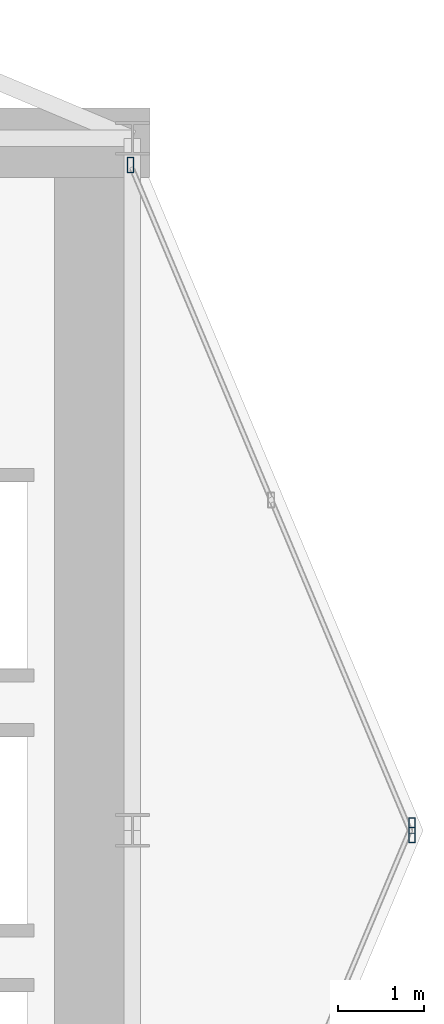
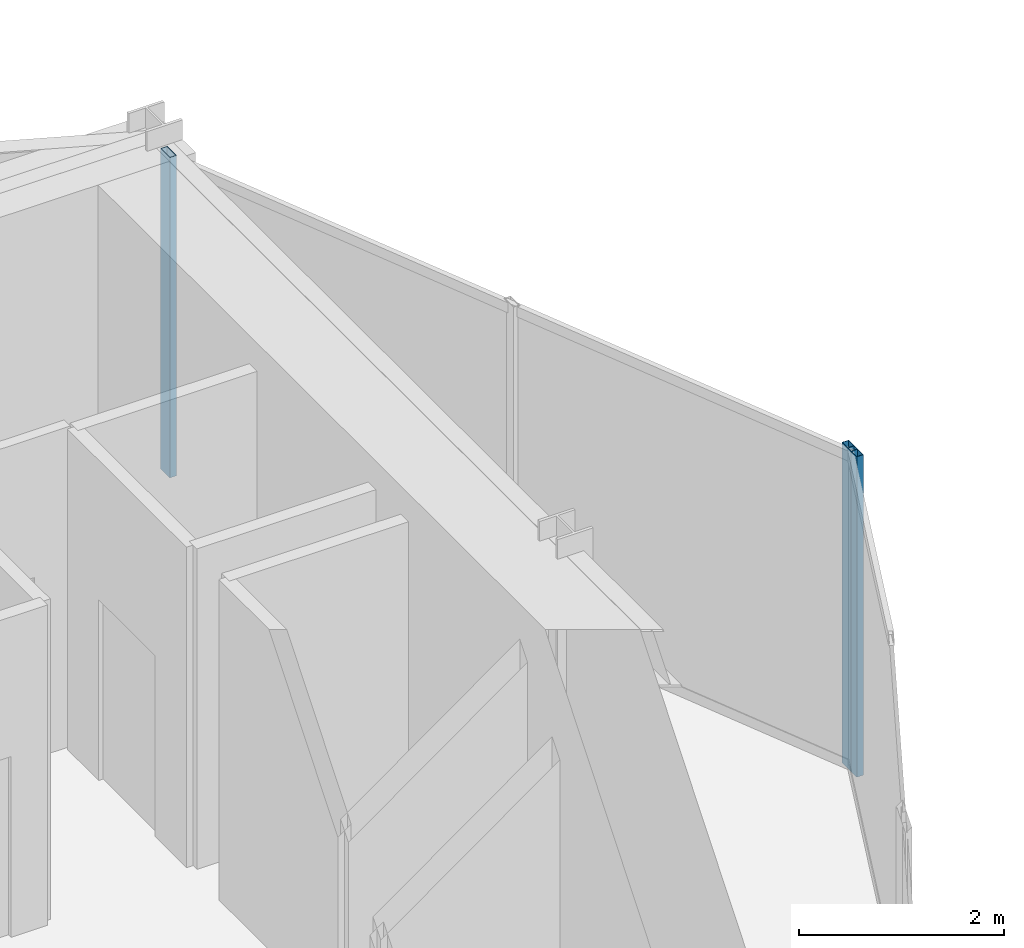
# One storey, part 17 of 24: 3 members, 2 elements without a shape of their own.
"""IFC4 building model written with IfcOpenShell, lengths in metres."""

import ifcopenshell
import ifcopenshell.guid

model = None  # the IFC model being written
_history = None  # IfcOwnerHistory: only IFC2X3 demands one
_inside = {}  # id of a spatial element -> (the spatial element, [elements in it])
_under = {}  # id of a project, library or spatial element -> (it, [spatial elements below it])
_declared = {}  # id of a project -> (the project, [libraries it declares])
_typed = {}  # id of a type object -> (the type object, [elements of that type])
_made_of = {}  # id of a material, layer set ... -> (it, [elements and type objects made of it])


def new_model(schema):
    """Start an empty IFC model of exactly this schema.

    Asked for "IFC4X3", IfcOpenShell would pick the latest addendum, in which some entities
    have other attributes; the version numbers below select the first issue.
    IFC2X3 requires an IfcOwnerHistory on every rooted entity: one is made here for all.
    """
    global model, _history
    if schema == "IFC4X3":
        model = ifcopenshell.file(schema_version=(4, 3, 0, 0))
    else:
        model = ifcopenshell.file(schema=schema)
    _inside.clear()
    _under.clear()
    _declared.clear()
    _typed.clear()
    _made_of.clear()
    _history = None
    if model.schema == "IFC2X3":
        org = make("IfcOrganization", Name="unknown")
        user = make(
            "IfcPersonAndOrganization",
            ThePerson=make("IfcPerson", FamilyName="unknown"),
            TheOrganization=org,
        )
        app = make(
            "IfcApplication",
            ApplicationDeveloper=org,
            Version="unknown",
            ApplicationFullName="unknown",
            ApplicationIdentifier="unknown",
        )
        _history = make(
            "IfcOwnerHistory",
            OwningUser=user,
            OwningApplication=app,
            ChangeAction="ADDED",
            CreationDate=0,
        )
    return model


def make(cls, **values):
    """One entity of the class cls with the attributes given. An attribute that is None is left unset."""
    return model.create_entity(
        cls, **{name: value for name, value in values.items() if value is not None}
    )


def rooted(cls, **values):
    """An entity with a GlobalId (a new one), such as an element, a storey or a relation."""
    return make(cls, GlobalId=ifcopenshell.guid.new(), OwnerHistory=_history, **values)


def si_unit(unit_type, name, prefix=None):
    """IfcSIUnit, for example si_unit("LENGTHUNIT", "METRE", prefix="MILLI")."""
    return make("IfcSIUnit", UnitType=unit_type, Prefix=prefix, Name=name)


def assignment(units):
    """IfcUnitAssignment: the units of a project."""
    return None if units is None else make("IfcUnitAssignment", Units=units)


def point(xyz):
    """IfcCartesianPoint."""
    return None if xyz is None else make("IfcCartesianPoint", Coordinates=xyz)


def direction(xyz):
    """IfcDirection."""
    return None if xyz is None else make("IfcDirection", DirectionRatios=xyz)


def frame(location, z_axis=None, x_axis=None):
    """IfcAxis2Placement3D, a coordinate frame: its origin and axes. An axis left out is left unset."""
    return make(
        "IfcAxis2Placement3D",
        Location=point(location),
        Axis=direction(z_axis),
        RefDirection=direction(x_axis),
    )


def frame_2d(location, x_axis=None):
    """IfcAxis2Placement2D, a coordinate frame in the plane: its origin and x axis."""
    return make(
        "IfcAxis2Placement2D", Location=point(location), RefDirection=direction(x_axis)
    )


def origin():
    """The frame at (0, 0, 0) with its axes left unset."""
    return frame((0.0, 0.0, 0.0))


def origin_2d():
    """The frame at (0, 0) in the plane with its x axis left unset."""
    return frame_2d((0.0, 0.0))


def place(relative_to, where):
    """IfcLocalPlacement: puts the frame where relative to a parent placement (None: the world)."""
    return make(
        "IfcLocalPlacement", PlacementRelTo=relative_to, RelativePlacement=where
    )


def context(
    kind, dimensions, precision=None, world=None, true_north=None, identifier=None
):
    """IfcGeometricRepresentationContext, for example the 3D "Model" context."""
    return make(
        "IfcGeometricRepresentationContext",
        ContextIdentifier=identifier,
        ContextType=kind,
        CoordinateSpaceDimension=dimensions,
        Precision=precision,
        WorldCoordinateSystem=world,
        TrueNorth=true_north,
    )


def subcontext(parent, identifier, kind, view, scale=None):
    """IfcGeometricRepresentationSubContext, for example "Body" below "Model"."""
    return make(
        "IfcGeometricRepresentationSubContext",
        ContextIdentifier=identifier,
        ContextType=kind,
        ParentContext=parent,
        TargetScale=scale,
        TargetView=view,
    )


def project(units=None, contexts=None):
    """IfcProject with its units and contexts."""
    return rooted(
        "IfcProject",
        Name="project",
        RepresentationContexts=contexts,
        UnitsInContext=assignment(units),
    )


def spatial(cls, under=None, at=None, **own):
    """A site, building, storey or space (cls), placed at a placement, below another one or the project."""
    s = rooted(cls, ObjectPlacement=at, **own)
    if under is not None:
        _under.setdefault(under.id(), (under, []))[1].append(s)
    return s


def profile(cls, at=None, kind="AREA", **sizes):
    """A parametric profile (cls). Its sizes go by their IFC names, for example OverallWidth=200.0."""
    return make(cls, ProfileType=kind, Position=at, **sizes)


def hollow_rectangle(**sizes):
    """IfcRectangleHollowProfileDef."""
    return profile("IfcRectangleHollowProfileDef", **sizes)


def extrude(swept, where, along, depth):
    """IfcExtrudedAreaSolid: the profile swept, set in the frame where, extruded along a direction by depth."""
    return make(
        "IfcExtrudedAreaSolid",
        SweptArea=swept,
        Position=where,
        ExtrudedDirection=direction(along),
        Depth=depth,
    )


def shape(context_of_items, identifier, shape_type, items):
    """IfcShapeRepresentation: the items that make up one representation, for example the "Body"."""
    return make(
        "IfcShapeRepresentation",
        ContextOfItems=context_of_items,
        RepresentationIdentifier=identifier,
        RepresentationType=shape_type,
        Items=items,
    )


def material(Name=None, Category=None):
    """IfcMaterial."""
    return make("IfcMaterial", Name=Name, Category=Category)


def layer(
    of_material, thickness, ventilated=None, Name=None, Category=None, Priority=None
):
    """IfcMaterialLayer: one layer of a wall or slab, of a material (None: an air gap)."""
    return make(
        "IfcMaterialLayer",
        Material=of_material,
        LayerThickness=thickness,
        IsVentilated=ventilated,
        Name=Name,
        Category=Category,
        Priority=Priority,
    )


def layer_set(layers, Name=None):
    """IfcMaterialLayerSet."""
    return make("IfcMaterialLayerSet", MaterialLayers=layers, LayerSetName=Name)


def material_profile(
    of_material, cross_section, Name=None, Category=None, Priority=None
):
    """IfcMaterialProfile: a cross section and its material."""
    return make(
        "IfcMaterialProfile",
        Name=Name,
        Material=of_material,
        Profile=cross_section,
        Priority=Priority,
        Category=Category,
    )


def profile_set(profiles, Name=None, composite=None):
    """IfcMaterialProfileSet."""
    return make(
        "IfcMaterialProfileSet",
        Name=Name,
        MaterialProfiles=profiles,
        CompositeProfile=composite,
    )


def made_of(thing, what):
    """Note that an element or type object is made of a material, layer set ...; save() writes the relation."""
    if what is not None:
        _made_of.setdefault(what.id(), (what, []))[1].append(thing)
    return thing


def type_object(cls, material=None, **own):
    """A type object (cls), such as IfcWallType, which elements share."""
    return made_of(rooted(cls, **own), material)


def element(
    cls,
    number,
    at=None,
    inside=None,
    cuts=None,
    type_object=None,
    material=None,
    context=None,
    identifier="Body",
    shape_type=None,
    held_by="IfcProductDefinitionShape",
    body=None,
    shapes=None,
    **own,
):
    """One element of the class cls, such as IfcWall. Its Tag is "e" and its number.

    at: its placement. inside: the storey or other place that contains it. cuts: it is an
    opening in that element (IfcRelVoidsElement). A single representation is given by context,
    identifier, shape_type and body (its items); several are given by shapes. held_by: the class
    of the entity that holds the representations. save() writes the other relations.
    """
    e = rooted(cls, Tag="e%d" % number, ObjectPlacement=at, **own)
    if body is not None:
        shapes = [shape(context, identifier, shape_type, body)]
    if shapes is not None:
        e.Representation = make(held_by, Representations=shapes)
    if inside is not None:
        _inside.setdefault(inside.id(), (inside, []))[1].append(e)
    if cuts is not None:
        rooted(
            "IfcRelVoidsElement", RelatingBuildingElement=cuts, RelatedOpeningElement=e
        )
    if type_object is not None:
        _typed.setdefault(type_object.id(), (type_object, []))[1].append(e)
    return made_of(e, material)


def aggregate(whole, parts):
    """IfcRelAggregates: a whole, such as a stair, and the parts it consists of."""
    return rooted("IfcRelAggregates", RelatingObject=whole, RelatedObjects=parts)


def save(model, path):
    """Write the relations noted so far, then the file.

    IfcRelAggregates (storeys below a building ...), IfcRelContainedInSpatialStructure (elements
    in a storey), IfcRelDefinesByType, IfcRelAssociatesMaterial and IfcRelDeclares: one each for
    every whole, place, type object, material and project.
    """
    for whole, parts in _under.values():
        aggregate(whole, parts)
    for where, things in _inside.values():
        rooted(
            "IfcRelContainedInSpatialStructure",
            RelatedElements=things,
            RelatingStructure=where,
        )
    for kind, things in _typed.values():
        rooted("IfcRelDefinesByType", RelatedObjects=things, RelatingType=kind)
    for what, things in _made_of.values():
        rooted("IfcRelAssociatesMaterial", RelatedObjects=things, RelatingMaterial=what)
    for by, libraries in _declared.values():
        rooted("IfcRelDeclares", RelatingContext=by, RelatedDefinitions=libraries)
    model.write(path)


model = new_model("IFC4")

# Units and contexts
model_context = context("Model", 3, precision=1e-05, world=origin(), true_north=direction((0.0, 1.0)))
body_context = subcontext(model_context, "Body", "Model", "MODEL_VIEW")
ifc_project = project(units=[si_unit("LENGTHUNIT", "METRE"), si_unit("AREAUNIT", "SQUARE_METRE"), si_unit("VOLUMEUNIT", "CUBIC_METRE"), si_unit("PLANEANGLEUNIT", "RADIAN"), si_unit("MASSUNIT", "GRAM", prefix="KILO")], contexts=[model_context])

# Site, building, storey
site_placement = place(None, origin())
site = spatial("IfcSite", under=ifc_project, at=site_placement, CompositionType="ELEMENT")
building_placement = place(site_placement, origin())
building = spatial("IfcBuilding", under=site, at=building_placement, Name="Veymaron Broadcast Tower", CompositionType="ELEMENT")
storey_placement = place(building_placement, frame((0.0, 0.0, 124.949951171875)))
storey = spatial("IfcBuildingStorey", under=building, at=storey_placement, Name="L28", CompositionType="ELEMENT", Elevation=124.949951171875)

# Curtain wall, member
ifc_material_1 = material(Name="Anodised aluminium AA 6063-T6 and laminated low-E dark glass", Category="aluminium")
ifc_layer = layer(ifc_material_1, 0.179931640625)
ifc_layer_set = layer_set([ifc_layer], Name="Anodised aluminium AA 6063-T6 and laminated low-E dark glass")
curtain_wall_type = type_object("IfcCurtainWallType", Name="CW-SYS-03", PredefinedType="NOTDEFINED", material=ifc_layer_set)
curtain_wall_1_placement = place(storey_placement, origin())
curtain_wall_1 = element("IfcCurtainWall", 1, at=curtain_wall_1_placement, inside=storey, type_object=curtain_wall_type, Name="L28 dark-glass curtain wall CW-L28-E2-1", PredefinedType="NOTDEFINED")
ifc_material_2 = material(Name="Anodised aluminium AA 6063-T6", Category="aluminium")
ifc_material_profile = material_profile(ifc_material_2, hollow_rectangle(XDim=0.074951171875, YDim=0.179931640625, WallThickness=0.0048828125, at=origin_2d()), Name="AL180X75X5")
ifc_profile_set = profile_set([ifc_material_profile], Name="Anodised aluminium AA 6063-T6")
member_type = type_object("IfcMemberType", Name="CW-MUL-02", PredefinedType="MULLION", material=ifc_profile_set)
member_1_placement = place(storey_placement, frame((57.830810546875, 24.05419921875, 0.0), z_axis=(0.0, 0.0, 1.0), x_axis=(1.0, 0.0, 0.0)))
member_1 = element("IfcMember", 2, at=member_1_placement, type_object=member_type, Name="CW-L28-E2-1 mullion 2", PredefinedType="MULLION", context=body_context, shape_type="SweptSolid", body=[
    extrude(hollow_rectangle(XDim=0.074951171875, YDim=0.179931640625, WallThickness=0.0048828125, at=origin_2d()), origin(), (0.0, 0.0, 1.0), 3.81005859375),
])
aggregate(curtain_wall_1, [member_1])

# Curtain wall, members
curtain_wall_2_placement = place(storey_placement, origin())
curtain_wall_2 = element("IfcCurtainWall", 3, at=curtain_wall_2_placement, inside=storey, type_object=curtain_wall_type, Name="L28 dark-glass curtain wall CW-L28-E3-1", PredefinedType="NOTDEFINED")
member_2_placement = place(storey_placement, frame((57.830810546875, 23.94580078125, 0.0), z_axis=(0.0, 0.0, 1.0), x_axis=(1.0, 0.0, 0.0)))
member_2 = element("IfcMember", 4, at=member_2_placement, type_object=member_type, Name="CW-L28-E3-1 mullion 0", PredefinedType="MULLION", context=body_context, shape_type="SweptSolid", body=[
    extrude(hollow_rectangle(XDim=0.074951171875, YDim=0.179931640625, WallThickness=0.0048828125, at=origin_2d()), origin(), (0.0, 0.0, 1.0), 3.81005859375),
])
member_3_placement = place(storey_placement, frame((54.576904296875, 31.693603515625, 0.0), z_axis=(0.0, 0.0, 1.0), x_axis=(1.0, 0.0, 0.0)))
member_3 = element("IfcMember", 5, at=member_3_placement, type_object=member_type, Name="CW-L28-E3-1 mullion 2", PredefinedType="MULLION", context=body_context, shape_type="SweptSolid", body=[
    extrude(hollow_rectangle(XDim=0.074951171875, YDim=0.179931640625, WallThickness=0.0048828125, at=origin_2d()), origin(), (0.0, 0.0, 1.0), 3.81005859375),
])
aggregate(curtain_wall_2, [member_2, member_3])

save(model, "model.ifc")
